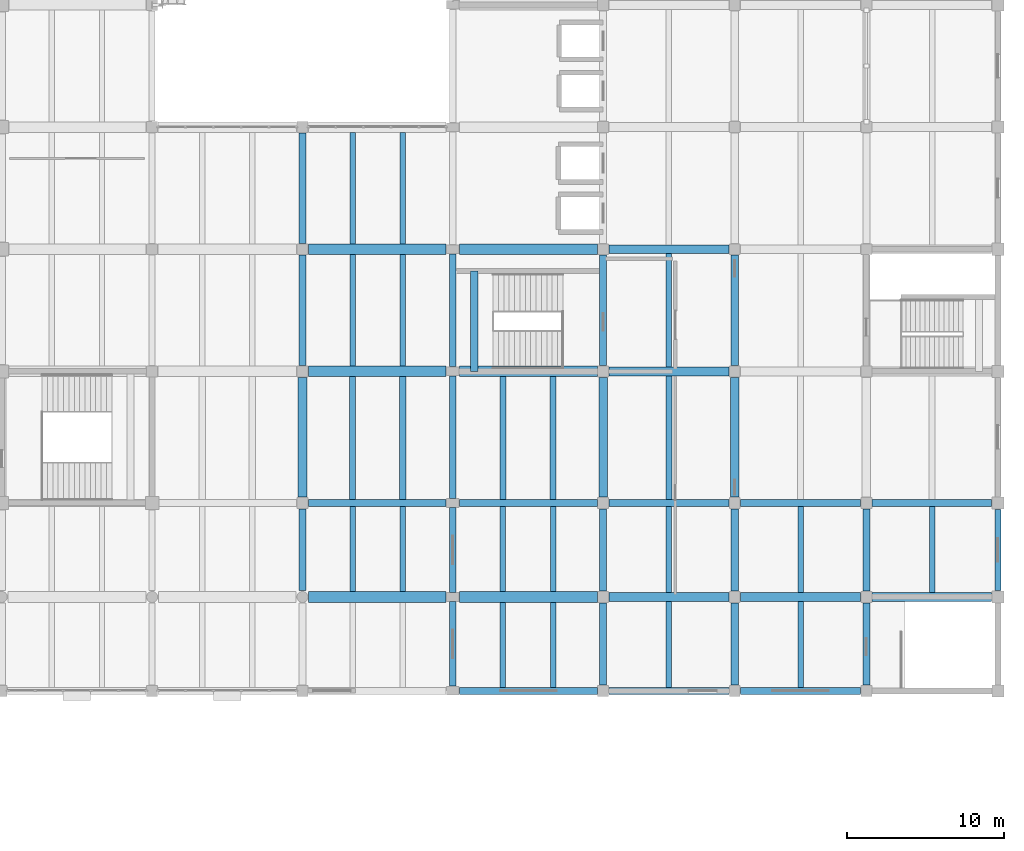
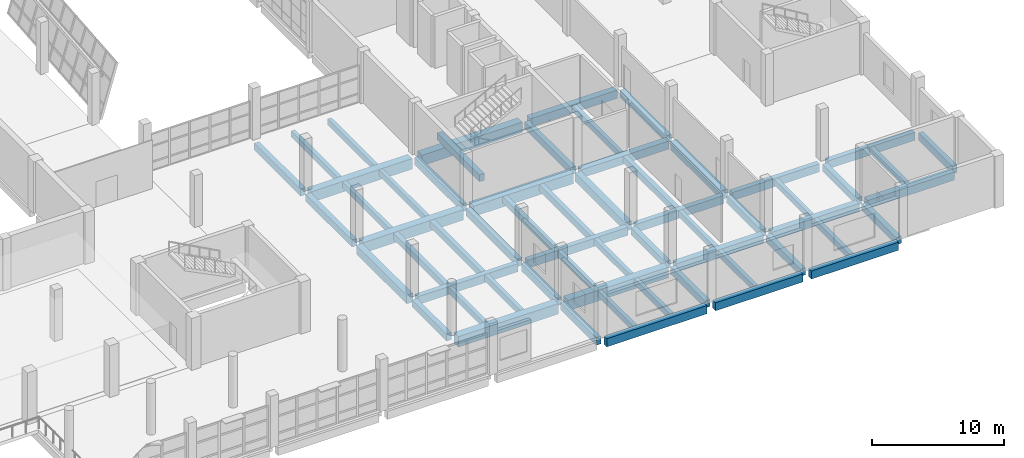
# One storey, part 51 of 91: 60 beams.
"""IFC4 building model written with IfcOpenShell, lengths in metres."""

from ifc_helpers import new_model, si_unit, direction, frame, origin, origin_2d, place, context, subcontext, project, spatial, rectangle, extrude, material, material_profile, profile_set, type_object, element, save


model = new_model("IFC4")

# Units and contexts
model_context = context("Model", 3, precision=1e-05, world=origin(), true_north=direction((0.0, 1.0)))
body_context = subcontext(model_context, "Body", "Model", "MODEL_VIEW")
ifc_project = project(units=[si_unit("LENGTHUNIT", "METRE"), si_unit("AREAUNIT", "SQUARE_METRE"), si_unit("VOLUMEUNIT", "CUBIC_METRE"), si_unit("PLANEANGLEUNIT", "RADIAN"), si_unit("MASSUNIT", "GRAM", prefix="KILO")], contexts=[model_context])

# Site, building, storey
site_placement = place(None, origin())
site = spatial("IfcSite", under=ifc_project, at=site_placement, CompositionType="ELEMENT")
building_placement = place(site_placement, origin())
building = spatial("IfcBuilding", under=site, at=building_placement, Name="Pellamere Symphony Hall", CompositionType="ELEMENT")
storey_placement = place(building_placement, frame((0.0, 0.0, 5.39990234375)))
storey = spatial("IfcBuildingStorey", under=building, at=storey_placement, Name="L01", CompositionType="ELEMENT", Elevation=5.39990234375)

# Beams
ifc_material_1 = material(Name="Concrete 40 MPa", Category="concrete")
ifc_material_profile_1 = material_profile(ifc_material_1, rectangle(XDim=0.550048828125, YDim=0.800048828125, at=origin_2d()), Name="RC 550x800")
ifc_profile_set_1 = profile_set([ifc_material_profile_1], Name="Concrete 40 MPa")
beam_type_1 = type_object("IfcBeamType", Name="RC CB-05 550x800", PredefinedType="BEAM", material=ifc_profile_set_1)
for number, where, z_axis, x_axis, name in (
    (1, (128.39990234375, 30.375, -0.679931640625), (0.0, 1.0, 0.0), (-1.0, 0.0, 0.0), "Girder CB-05-Y0837 (L01)"),
    (2, (147.60009765625, 30.375, -0.679931640625), (0.0, 1.0, 0.0), (-1.0, 0.0, 0.0), "Girder CB-05-Y0853 (L01)"),
    (3, (156.0, 30.375, -0.679931640625), (0.0, 1.0, 0.0), (-1.0, 0.0, 0.0), "Girder CB-05-Y0864 (L01)"),
):
    element("IfcBeam", number, at=place(storey_placement, frame(where, z_axis=z_axis, x_axis=x_axis)), inside=storey, type_object=beam_type_1, Name=name, PredefinedType="BEAM", context=body_context, shape_type="SweptSolid", body=[
        extrude(rectangle(XDim=0.550048828125, YDim=0.800048828125, at=origin_2d()), origin(), (0.0, 0.0, 1.0), 7.64990234375),
    ])
ifc_material_profile_2 = material_profile(ifc_material_1, rectangle(XDim=0.449951171875, YDim=0.64990234375, at=origin_2d()), Name="RC 450x650")
ifc_profile_set_2 = profile_set([ifc_material_profile_2], Name="Concrete 40 MPa")
beam_type_2 = type_object("IfcBeamType", Name="RC CB-08 450x650", PredefinedType="BEAM", material=ifc_profile_set_2)
beam_1_placement = place(storey_placement, frame((128.39990234375, 24.39990234375, -0.60498046875), z_axis=(0.0, 1.0, 0.0), x_axis=(-1.0, 0.0, 0.0)))
element("IfcBeam", 4, at=beam_1_placement, inside=storey, type_object=beam_type_2, Name="Girder CB-08-Y0836 (L01)", PredefinedType="BEAM", context=body_context, shape_type="SweptSolid", body=[
    extrude(rectangle(XDim=0.449951171875, YDim=0.64990234375, at=origin_2d()), origin(), (0.0, 0.0, 1.0), 5.22509765625),
])
for number, where, z_axis, x_axis, name in (
    (5, (128.39990234375, 38.77490234375, -0.60498046875), (0.0, 1.0, 0.0), (-1.0, 0.0, 0.0), "Girder CB-08-Y0838 (L01)"),
    (6, (128.39990234375, 46.574951171875, -0.60498046875), (0.0, 1.0, 0.0), (-1.0, 0.0, 0.0), "Girder CB-08-Y0839 (L01)"),
):
    element("IfcBeam", number, at=place(storey_placement, frame(where, z_axis=z_axis, x_axis=x_axis)), inside=storey, type_object=beam_type_2, Name=name, PredefinedType="BEAM", context=body_context, shape_type="SweptSolid", body=[
        extrude(rectangle(XDim=0.449951171875, YDim=0.64990234375, at=origin_2d()), origin(), (0.0, 0.0, 1.0), 7.050048828125),
    ])
for number, where, z_axis, x_axis, name in (
    (7, (147.60009765625, 18.375, -0.60498046875), (0.0, 1.0, 0.0), (-1.0, 0.0, 0.0), "Girder CB-08-Y0851 (L01)"),
    (8, (147.60009765625, 24.375, -0.60498046875), (0.0, 1.0, 0.0), (-1.0, 0.0, 0.0), "Girder CB-08-Y0852 (L01)"),
):
    element("IfcBeam", number, at=place(storey_placement, frame(where, z_axis=z_axis, x_axis=x_axis)), inside=storey, type_object=beam_type_2, Name=name, PredefinedType="BEAM", context=body_context, shape_type="SweptSolid", body=[
        extrude(rectangle(XDim=0.449951171875, YDim=0.64990234375, at=origin_2d()), origin(), (0.0, 0.0, 1.0), 5.25),
    ])
beam_2_placement = place(storey_placement, frame((147.60009765625, 38.77490234375, -0.60498046875), z_axis=(0.0, 1.0, 0.0), x_axis=(-1.0, 0.0, 0.0)))
element("IfcBeam", 9, at=beam_2_placement, inside=storey, type_object=beam_type_2, Name="Girder CB-08-Y0854 (L01)", PredefinedType="BEAM", context=body_context, shape_type="SweptSolid", body=[
    extrude(rectangle(XDim=0.449951171875, YDim=0.64990234375, at=origin_2d()), origin(), (0.0, 0.0, 1.0), 7.050048828125),
])
for number, where, z_axis, x_axis, name in (
    (10, (156.0, 18.375, -0.60498046875), (0.0, 1.0, 0.0), (-1.0, 0.0, 0.0), "Girder CB-08-Y0862 (L01)"),
    (11, (156.0, 24.375, -0.60498046875), (0.0, 1.0, 0.0), (-1.0, 0.0, 0.0), "Girder CB-08-Y0863 (L01)"),
):
    element("IfcBeam", number, at=place(storey_placement, frame(where, z_axis=z_axis, x_axis=x_axis)), inside=storey, type_object=beam_type_2, Name=name, PredefinedType="BEAM", context=body_context, shape_type="SweptSolid", body=[
        extrude(rectangle(XDim=0.449951171875, YDim=0.64990234375, at=origin_2d()), origin(), (0.0, 0.0, 1.0), 5.25),
    ])
beam_3_placement = place(storey_placement, frame((156.0, 38.77490234375, -0.60498046875), z_axis=(0.0, 1.0, 0.0), x_axis=(-1.0, 0.0, 0.0)))
element("IfcBeam", 12, at=beam_3_placement, inside=storey, type_object=beam_type_2, Name="Girder CB-08-Y0865 (L01)", PredefinedType="BEAM", context=body_context, shape_type="SweptSolid", body=[
    extrude(rectangle(XDim=0.449951171875, YDim=0.64990234375, at=origin_2d()), origin(), (0.0, 0.0, 1.0), 7.050048828125),
])
for number, where, z_axis, x_axis, name in (
    (13, (164.39990234375, 18.375, -0.60498046875), (0.0, 1.0, 0.0), (-1.0, 0.0, 0.0), "Girder CB-08-Y0873 (L01)"),
    (14, (164.39990234375, 24.375, -0.60498046875), (0.0, 1.0, 0.0), (-1.0, 0.0, 0.0), "Girder CB-08-Y0874 (L01)"),
):
    element("IfcBeam", number, at=place(storey_placement, frame(where, z_axis=z_axis, x_axis=x_axis)), inside=storey, type_object=beam_type_2, Name=name, PredefinedType="BEAM", context=body_context, shape_type="SweptSolid", body=[
        extrude(rectangle(XDim=0.449951171875, YDim=0.64990234375, at=origin_2d()), origin(), (0.0, 0.0, 1.0), 5.25),
    ])
beam_4_placement = place(storey_placement, frame((139.367431640625, 38.3798828125, 1.85498046875), z_axis=(0.0, 1.0, 0.0), x_axis=(-1.0, 0.0, 0.0)))
element("IfcBeam", 15, at=beam_4_placement, inside=storey, type_object=beam_type_2, Name="Stair ST02-L01 Half Landing Support Beam (L01)", PredefinedType="BEAM", context=body_context, shape_type="SweptSolid", body=[
    extrude(rectangle(XDim=0.449951171875, YDim=0.64990234375, at=origin_2d()), origin(), (0.0, 0.0, 1.0), 6.440185546875),
])
ifc_material_profile_3 = material_profile(ifc_material_1, rectangle(XDim=0.39990234375, YDim=0.60009765625, at=origin_2d()), Name="RC 400x600")
ifc_profile_set_3 = profile_set([ifc_material_profile_3], Name="Concrete 40 MPa")
beam_type_3 = type_object("IfcBeamType", Name="RC CB-09 400x600", PredefinedType="BEAM", material=ifc_profile_set_3)
for number, where, z_axis, x_axis, name in (
    (16, (131.60009765625, 30.22509765625, -0.594970703125), (0.0, 1.0, 0.0), (-1.0, 0.0, 0.0), "Secondary Floor Beam CB-09-A1604 (L01)"),
    (17, (134.800048828125, 30.22509765625, -0.594970703125), (0.0, 1.0, 0.0), (-1.0, 0.0, 0.0), "Secondary Floor Beam CB-09-B1604 (L01)"),
    (18, (141.199951171875, 30.22509765625, -0.594970703125), (0.0, 1.0, 0.0), (-1.0, 0.0, 0.0), "Secondary Floor Beam CB-09-A1704 (L01)"),
    (19, (144.39990234375, 30.22509765625, -0.594970703125), (0.0, 1.0, 0.0), (-1.0, 0.0, 0.0), "Secondary Floor Beam CB-09-B1704 (L01)"),
):
    element("IfcBeam", number, at=place(storey_placement, frame(where, z_axis=z_axis, x_axis=x_axis)), inside=storey, type_object=beam_type_3, Name=name, PredefinedType="BEAM", context=body_context, shape_type="SweptSolid", body=[
        extrude(rectangle(XDim=0.39990234375, YDim=0.60009765625, at=origin_2d()), origin(), (0.0, 0.0, 1.0), 7.8349609375),
    ])
beam_5_placement = place(storey_placement, frame((151.800048828125, 30.22509765625, -0.594970703125), z_axis=(0.0, 1.0, 0.0), x_axis=(-1.0, 0.0, 0.0)))
element("IfcBeam", 20, at=beam_5_placement, inside=storey, type_object=beam_type_3, Name="Secondary Floor Beam CB-09-M1804 (L01)", PredefinedType="BEAM", context=body_context, shape_type="SweptSolid", body=[
    extrude(rectangle(XDim=0.39990234375, YDim=0.60009765625, at=origin_2d()), origin(), (0.0, 0.0, 1.0), 7.89501953125),
])
ifc_material_2 = material(Name="Concrete 35 MPa", Category="concrete")
ifc_material_profile_4 = material_profile(ifc_material_2, rectangle(XDim=0.35009765625, YDim=0.550048828125, at=origin_2d()), Name="RC 350x550")
ifc_profile_set_4 = profile_set([ifc_material_profile_4], Name="Concrete 35 MPa")
beam_type_4 = type_object("IfcBeamType", Name="RC CB-10 350x550", PredefinedType="BEAM", material=ifc_profile_set_4)
for number, where, z_axis, x_axis, name in (
    (21, (131.60009765625, 24.340087890625, -0.56982421875), (0.0, 1.0, 0.0), (-1.0, 0.0, 0.0), "Secondary Floor Beam CB-10-A1603 (L01)"),
    (22, (134.800048828125, 24.340087890625, -0.56982421875), (0.0, 1.0, 0.0), (-1.0, 0.0, 0.0), "Secondary Floor Beam CB-10-B1603 (L01)"),
):
    element("IfcBeam", number, at=place(storey_placement, frame(where, z_axis=z_axis, x_axis=x_axis)), inside=storey, type_object=beam_type_4, Name=name, PredefinedType="BEAM", context=body_context, shape_type="SweptSolid", body=[
        extrude(rectangle(XDim=0.35009765625, YDim=0.550048828125, at=origin_2d()), origin(), (0.0, 0.0, 1.0), 5.434814453125),
    ])
for number, where, z_axis, x_axis, name in (
    (23, (131.60009765625, 38.739990234375, -0.56982421875), (0.0, 1.0, 0.0), (-1.0, 0.0, 0.0), "Secondary Floor Beam CB-10-A1605 (L01)"),
    (24, (134.800048828125, 38.739990234375, -0.56982421875), (0.0, 1.0, 0.0), (-1.0, 0.0, 0.0), "Secondary Floor Beam CB-10-B1605 (L01)"),
):
    element("IfcBeam", number, at=place(storey_placement, frame(where, z_axis=z_axis, x_axis=x_axis)), inside=storey, type_object=beam_type_4, Name=name, PredefinedType="BEAM", context=body_context, shape_type="SweptSolid", body=[
        extrude(rectangle(XDim=0.35009765625, YDim=0.550048828125, at=origin_2d()), origin(), (0.0, 0.0, 1.0), 7.1201171875),
    ])
for number, where, z_axis, x_axis, name in (
    (25, (131.60009765625, 46.5400390625, -0.56982421875), (0.0, 1.0, 0.0), (-1.0, 0.0, 0.0), "Secondary Floor Beam CB-10-A1606 (L01)"),
    (26, (134.800048828125, 46.5400390625, -0.56982421875), (0.0, 1.0, 0.0), (-1.0, 0.0, 0.0), "Secondary Floor Beam CB-10-B1606 (L01)"),
):
    element("IfcBeam", number, at=place(storey_placement, frame(where, z_axis=z_axis, x_axis=x_axis)), inside=storey, type_object=beam_type_4, Name=name, PredefinedType="BEAM", context=body_context, shape_type="SweptSolid", body=[
        extrude(rectangle(XDim=0.35009765625, YDim=0.550048828125, at=origin_2d()), origin(), (0.0, 0.0, 1.0), 7.119873046875),
    ])
for number, where, z_axis, x_axis, name in (
    (27, (141.199951171875, 18.22509765625, -0.56982421875), (0.0, 1.0, 0.0), (-1.0, 0.0, 0.0), "Secondary Floor Beam CB-10-A1702 (L01)"),
    (28, (144.39990234375, 18.22509765625, -0.56982421875), (0.0, 1.0, 0.0), (-1.0, 0.0, 0.0), "Secondary Floor Beam CB-10-B1702 (L01)"),
    (29, (141.199951171875, 24.340087890625, -0.56982421875), (0.0, 1.0, 0.0), (-1.0, 0.0, 0.0), "Secondary Floor Beam CB-10-A1703 (L01)"),
    (30, (144.39990234375, 24.340087890625, -0.56982421875), (0.0, 1.0, 0.0), (-1.0, 0.0, 0.0), "Secondary Floor Beam CB-10-B1703 (L01)"),
):
    element("IfcBeam", number, at=place(storey_placement, frame(where, z_axis=z_axis, x_axis=x_axis)), inside=storey, type_object=beam_type_4, Name=name, PredefinedType="BEAM", context=body_context, shape_type="SweptSolid", body=[
        extrude(rectangle(XDim=0.35009765625, YDim=0.550048828125, at=origin_2d()), origin(), (0.0, 0.0, 1.0), 5.434814453125),
    ])
for number, where, z_axis, x_axis, name in (
    (31, (151.800048828125, 18.22509765625, -0.56982421875), (0.0, 1.0, 0.0), (-1.0, 0.0, 0.0), "Secondary Floor Beam CB-10-M1802 (L01)"),
    (32, (151.800048828125, 24.280029296875, -0.56982421875), (0.0, 1.0, 0.0), (-1.0, 0.0, 0.0), "Secondary Floor Beam CB-10-M1803 (L01)"),
):
    element("IfcBeam", number, at=place(storey_placement, frame(where, z_axis=z_axis, x_axis=x_axis)), inside=storey, type_object=beam_type_4, Name=name, PredefinedType="BEAM", context=body_context, shape_type="SweptSolid", body=[
        extrude(rectangle(XDim=0.35009765625, YDim=0.550048828125, at=origin_2d()), origin(), (0.0, 0.0, 1.0), 5.494873046875),
    ])
beam_6_placement = place(storey_placement, frame((151.800048828125, 38.679931640625, -0.56982421875), z_axis=(0.0, 1.0, 0.0), x_axis=(-1.0, 0.0, 0.0)))
element("IfcBeam", 33, at=beam_6_placement, inside=storey, type_object=beam_type_4, Name="Secondary Floor Beam CB-10-M1805 (L01)", PredefinedType="BEAM", context=body_context, shape_type="SweptSolid", body=[
    extrude(rectangle(XDim=0.35009765625, YDim=0.550048828125, at=origin_2d()), origin(), (0.0, 0.0, 1.0), 7.239990234375),
])
for number, where, z_axis, x_axis, name in (
    (34, (160.199951171875, 18.22509765625, -0.56982421875), (0.0, 1.0, 0.0), (-1.0, 0.0, 0.0), "Secondary Floor Beam CB-10-M1902 (L01)"),
    (35, (160.199951171875, 24.280029296875, -0.56982421875), (0.0, 1.0, 0.0), (-1.0, 0.0, 0.0), "Secondary Floor Beam CB-10-M1903 (L01)"),
    (36, (168.60009765625, 24.280029296875, -0.56982421875), (0.0, 1.0, 0.0), (-1.0, 0.0, 0.0), "Secondary Floor Beam CB-10-M2003 (L01)"),
):
    element("IfcBeam", number, at=place(storey_placement, frame(where, z_axis=z_axis, x_axis=x_axis)), inside=storey, type_object=beam_type_4, Name=name, PredefinedType="BEAM", context=body_context, shape_type="SweptSolid", body=[
        extrude(rectangle(XDim=0.35009765625, YDim=0.550048828125, at=origin_2d()), origin(), (0.0, 0.0, 1.0), 5.494873046875),
    ])
ifc_material_profile_5 = material_profile(ifc_material_1, rectangle(XDim=0.449951171875, YDim=0.75, at=origin_2d()), Name="RC 450x750")
ifc_profile_set_5 = profile_set([ifc_material_profile_5], Name="Concrete 40 MPa")
beam_type_5 = type_object("IfcBeamType", Name="RC CB-12 450x750", PredefinedType="SPANDREL", material=ifc_profile_set_5)
beam_7_placement = place(storey_placement, frame((138.425048828125, 18.0, -0.65478515625), z_axis=(1.0, 0.0, 0.0), x_axis=(0.0, 1.0, 0.0)))
element("IfcBeam", 37, at=beam_7_placement, inside=storey, type_object=beam_type_5, Name="Girder CB-12-X0559 (L01)", PredefinedType="SPANDREL", context=body_context, shape_type="SweptSolid", body=[
    extrude(rectangle(XDim=0.449951171875, YDim=0.75, at=origin_2d()), origin(), (0.0, 0.0, 1.0), 8.800048828125),
])
for number, where, z_axis, x_axis, name in (
    (38, (147.97509765625, 18.0, -0.65478515625), (1.0, 0.0, 0.0), (0.0, 1.0, 0.0), "Girder CB-12-X0560 (L01)"),
    (39, (156.375, 18.0, -0.65478515625), (1.0, 0.0, 0.0), (0.0, 1.0, 0.0), "Girder CB-12-X0561 (L01)"),
):
    element("IfcBeam", number, at=place(storey_placement, frame(where, z_axis=z_axis, x_axis=x_axis)), inside=storey, type_object=beam_type_5, Name=name, PredefinedType="SPANDREL", context=body_context, shape_type="SweptSolid", body=[
        extrude(rectangle(XDim=0.449951171875, YDim=0.75, at=origin_2d()), origin(), (0.0, 0.0, 1.0), 7.64990234375),
    ])
for number, where, z_axis, x_axis, name in (
    (40, (128.77490234375, 30.0, -0.65478515625), (1.0, 0.0, 0.0), (0.0, 1.0, 0.0), "Girder CB-12-X0590 (L01)"),
    (41, (138.425048828125, 30.0, -0.65478515625), (1.0, 0.0, 0.0), (0.0, 1.0, 0.0), "Girder CB-12-X0591 (L01)"),
):
    element("IfcBeam", number, at=place(storey_placement, frame(where, z_axis=z_axis, x_axis=x_axis)), inside=storey, type_object=beam_type_5, Name=name, PredefinedType="SPANDREL", context=body_context, shape_type="SweptSolid", body=[
        extrude(rectangle(XDim=0.449951171875, YDim=0.75, at=origin_2d()), origin(), (0.0, 0.0, 1.0), 8.800048828125),
    ])
for number, where, z_axis, x_axis, name in (
    (42, (147.97509765625, 30.0, -0.65478515625), (1.0, 0.0, 0.0), (0.0, 1.0, 0.0), "Girder CB-12-X0592 (L01)"),
    (43, (156.375, 30.0, -0.65478515625), (1.0, 0.0, 0.0), (0.0, 1.0, 0.0), "Girder CB-12-X0593 (L01)"),
):
    element("IfcBeam", number, at=place(storey_placement, frame(where, z_axis=z_axis, x_axis=x_axis)), inside=storey, type_object=beam_type_5, Name=name, PredefinedType="SPANDREL", context=body_context, shape_type="SweptSolid", body=[
        extrude(rectangle(XDim=0.449951171875, YDim=0.75, at=origin_2d()), origin(), (0.0, 0.0, 1.0), 7.64990234375),
    ])
beam_8_placement = place(storey_placement, frame((164.77490234375, 30.0, -0.65478515625), z_axis=(1.0, 0.0, 0.0), x_axis=(0.0, 1.0, 0.0)))
element("IfcBeam", 44, at=beam_8_placement, inside=storey, type_object=beam_type_5, Name="Girder CB-12-X0594 (L01)", PredefinedType="SPANDREL", context=body_context, shape_type="SweptSolid", body=[
    extrude(rectangle(XDim=0.449951171875, YDim=0.75, at=origin_2d()), origin(), (0.0, 0.0, 1.0), 7.614990234375),
])
ifc_material_profile_6 = material_profile(ifc_material_1, rectangle(XDim=0.39990234375, YDim=0.699951171875, at=origin_2d()), Name="RC 400x700")
ifc_profile_set_6 = profile_set([ifc_material_profile_6], Name="Concrete 40 MPa")
beam_type_6 = type_object("IfcBeamType", Name="RC CB-13 400x700", PredefinedType="SPANDREL", material=ifc_profile_set_6)
for number, where, z_axis, x_axis, name in (
    (45, (138.0, 18.300048828125, -0.6298828125), (0.0, 1.0, 0.0), (-1.0, 0.0, 0.0), "Girder CB-13-Y0840 (L01)"),
    (46, (138.0, 24.300048828125, -0.6298828125), (0.0, 1.0, 0.0), (-1.0, 0.0, 0.0), "Girder CB-13-Y0841 (L01)"),
):
    element("IfcBeam", number, at=place(storey_placement, frame(where, z_axis=z_axis, x_axis=x_axis)), inside=storey, type_object=beam_type_6, Name=name, PredefinedType="SPANDREL", context=body_context, shape_type="SweptSolid", body=[
        extrude(rectangle(XDim=0.39990234375, YDim=0.699951171875, at=origin_2d()), origin(), (0.0, 0.0, 1.0), 5.39990234375),
    ])
beam_9_placement = place(storey_placement, frame((138.0, 30.300048828125, -0.6298828125), z_axis=(0.0, 1.0, 0.0), x_axis=(-1.0, 0.0, 0.0)))
element("IfcBeam", 47, at=beam_9_placement, inside=storey, type_object=beam_type_6, Name="Girder CB-13-Y0842 (L01)", PredefinedType="SPANDREL", context=body_context, shape_type="SweptSolid", body=[
    extrude(rectangle(XDim=0.39990234375, YDim=0.699951171875, at=origin_2d()), origin(), (0.0, 0.0, 1.0), 7.800048828125),
])
beam_10_placement = place(storey_placement, frame((138.0, 38.699951171875, -0.6298828125), z_axis=(0.0, 1.0, 0.0), x_axis=(-1.0, 0.0, 0.0)))
element("IfcBeam", 48, at=beam_10_placement, inside=storey, type_object=beam_type_6, Name="Girder CB-13-Y0843 (L01)", PredefinedType="SPANDREL", context=body_context, shape_type="SweptSolid", body=[
    extrude(rectangle(XDim=0.39990234375, YDim=0.699951171875, at=origin_2d()), origin(), (0.0, 0.0, 1.0), 7.199951171875),
])
beam_11_placement = place(storey_placement, frame((172.800048828125, 24.409912109375, -0.6298828125), z_axis=(0.0, 1.0, 0.0), x_axis=(-1.0, 0.0, 0.0)))
element("IfcBeam", 49, at=beam_11_placement, inside=storey, type_object=beam_type_6, Name="Girder CB-13-Y0884 (L01)", PredefinedType="SPANDREL", context=body_context, shape_type="SweptSolid", body=[
    extrude(rectangle(XDim=0.39990234375, YDim=0.699951171875, at=origin_2d()), origin(), (0.0, 0.0, 1.0), 5.18017578125),
])
ifc_material_profile_7 = material_profile(ifc_material_1, rectangle(XDim=0.56005859375, YDim=0.760009765625, at=origin_2d()), Name="RC 560x760")
ifc_profile_set_7 = profile_set([ifc_material_profile_7], Name="Concrete 40 MPa")
beam_type_7 = type_object("IfcBeamType", Name="RC CB-18 560x760", PredefinedType="BEAM", material=ifc_profile_set_7)
for number, where, z_axis, x_axis, name in (
    (50, (147.97509765625, 24.0, -0.659912109375), (1.0, 0.0, 0.0), (0.0, 1.0, 0.0), "Girder CB-18-X0574 (L01)"),
    (51, (156.375, 24.0, -0.659912109375), (1.0, 0.0, 0.0), (0.0, 1.0, 0.0), "Girder CB-18-X0575 (L01)"),
):
    element("IfcBeam", number, at=place(storey_placement, frame(where, z_axis=z_axis, x_axis=x_axis)), inside=storey, type_object=beam_type_7, Name=name, PredefinedType="BEAM", context=body_context, shape_type="SweptSolid", body=[
        extrude(rectangle(XDim=0.56005859375, YDim=0.760009765625, at=origin_2d()), origin(), (0.0, 0.0, 1.0), 7.64990234375),
    ])
beam_12_placement = place(storey_placement, frame((164.77490234375, 24.0, -0.659912109375), z_axis=(1.0, 0.0, 0.0), x_axis=(0.0, 1.0, 0.0)))
element("IfcBeam", 52, at=beam_12_placement, inside=storey, type_object=beam_type_7, Name="Girder CB-18-X0576 (L01)", PredefinedType="BEAM", context=body_context, shape_type="SweptSolid", body=[
    extrude(rectangle(XDim=0.56005859375, YDim=0.760009765625, at=origin_2d()), origin(), (0.0, 0.0, 1.0), 7.614990234375),
])
for number, where, z_axis, x_axis, name in (
    (53, (147.97509765625, 38.39990234375, -0.659912109375), (1.0, 0.0, 0.0), (0.0, 1.0, 0.0), "Girder CB-18-X0612 (L01)"),
    (54, (147.97509765625, 46.199951171875, -0.659912109375), (1.0, 0.0, 0.0), (0.0, 1.0, 0.0), "Girder CB-18-X0632 (L01)"),
):
    element("IfcBeam", number, at=place(storey_placement, frame(where, z_axis=z_axis, x_axis=x_axis)), inside=storey, type_object=beam_type_7, Name=name, PredefinedType="BEAM", context=body_context, shape_type="SweptSolid", body=[
        extrude(rectangle(XDim=0.56005859375, YDim=0.760009765625, at=origin_2d()), origin(), (0.0, 0.0, 1.0), 7.64990234375),
    ])
ifc_material_profile_8 = material_profile(ifc_material_1, rectangle(XDim=0.679931640625, YDim=0.97998046875, at=origin_2d()), Name="RC 680x980")
ifc_profile_set_8 = profile_set([ifc_material_profile_8], Name="Concrete 40 MPa")
beam_type_8 = type_object("IfcBeamType", Name="RC CB-22 680x980", PredefinedType="BEAM", material=ifc_profile_set_8)
beam_13_placement = place(storey_placement, frame((128.800048828125, 24.0, -0.77001953125), z_axis=(1.0, 0.0, 0.0), x_axis=(0.0, 1.0, 0.0)))
element("IfcBeam", 55, at=beam_13_placement, inside=storey, type_object=beam_type_8, Name="Girder CB-22-X0572 (L01)", PredefinedType="BEAM", context=body_context, shape_type="SweptSolid", body=[
    extrude(rectangle(XDim=0.679931640625, YDim=0.97998046875, at=origin_2d()), origin(), (0.0, 0.0, 1.0), 8.77490234375),
])
for number, where, z_axis, x_axis, name in (
    (56, (138.425048828125, 24.0, -0.77001953125), (1.0, 0.0, 0.0), (0.0, 1.0, 0.0), "Girder CB-22-X0573 (L01)"),
    (57, (128.77490234375, 38.39990234375, -0.77001953125), (1.0, 0.0, 0.0), (0.0, 1.0, 0.0), "Girder CB-22-X0610 (L01)"),
    (58, (138.425048828125, 38.39990234375, -0.77001953125), (1.0, 0.0, 0.0), (0.0, 1.0, 0.0), "Girder CB-22-X0611 (L01)"),
    (59, (128.77490234375, 46.199951171875, -0.77001953125), (1.0, 0.0, 0.0), (0.0, 1.0, 0.0), "Girder CB-22-X0630 (L01)"),
    (60, (138.425048828125, 46.199951171875, -0.77001953125), (1.0, 0.0, 0.0), (0.0, 1.0, 0.0), "Girder CB-22-X0631 (L01)"),
):
    element("IfcBeam", number, at=place(storey_placement, frame(where, z_axis=z_axis, x_axis=x_axis)), inside=storey, type_object=beam_type_8, Name=name, PredefinedType="BEAM", context=body_context, shape_type="SweptSolid", body=[
        extrude(rectangle(XDim=0.679931640625, YDim=0.97998046875, at=origin_2d()), origin(), (0.0, 0.0, 1.0), 8.800048828125),
    ])

save(model, "model.ifc")
